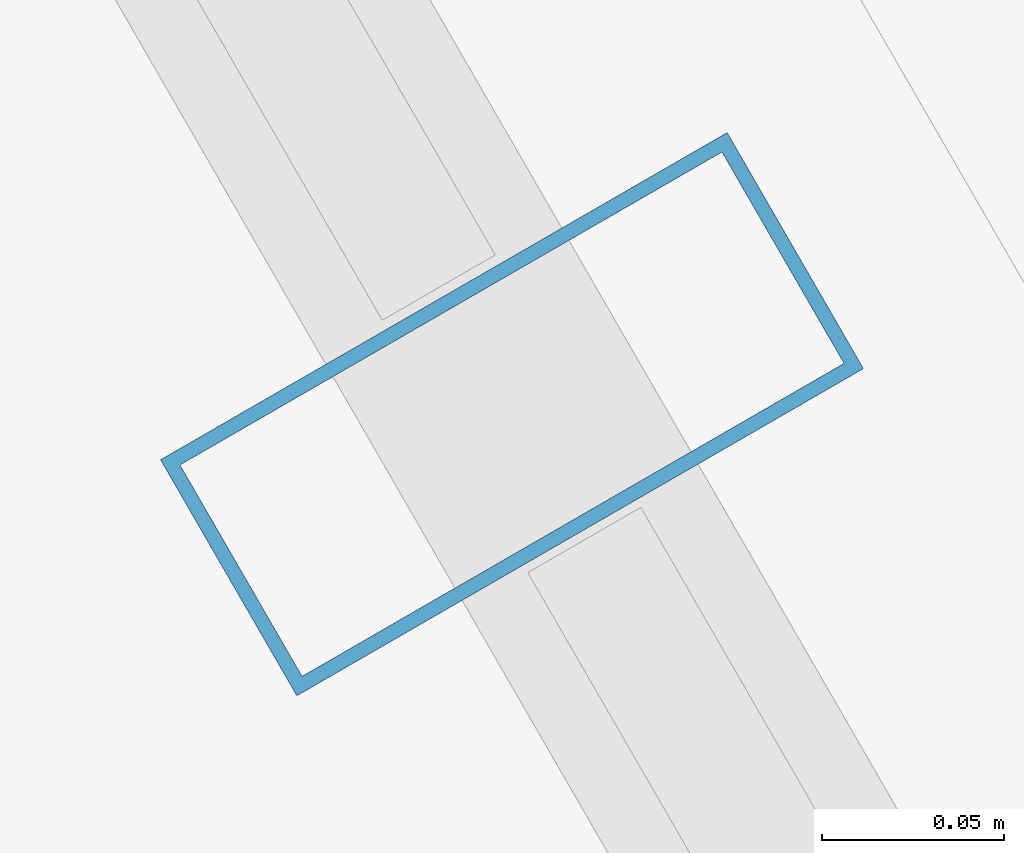
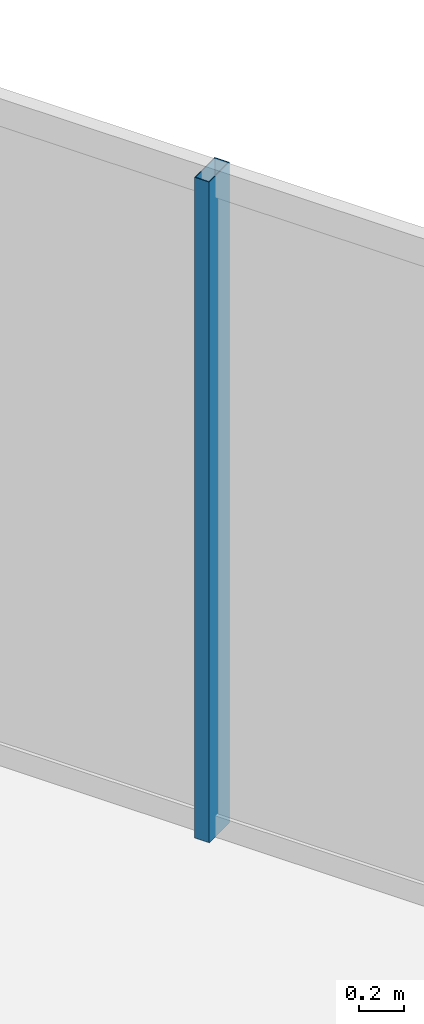
# One storey, part 19 of 31: 1 member, 1 element without a shape of its own.
"""IFC4 building model written with IfcOpenShell, lengths in metres."""

from ifc_helpers import new_model, si_unit, direction, frame, origin, origin_2d, place, context, subcontext, project, spatial, hollow_rectangle, extrude, material, layer, layer_set, material_profile, profile_set, type_object, element, aggregate, save


model = new_model("IFC4")

# Units and contexts
model_context = context("Model", 3, precision=1e-05, world=origin(), true_north=direction((0.0, 1.0)))
body_context = subcontext(model_context, "Body", "Model", "MODEL_VIEW")
ifc_project = project(units=[si_unit("LENGTHUNIT", "METRE"), si_unit("AREAUNIT", "SQUARE_METRE"), si_unit("VOLUMEUNIT", "CUBIC_METRE"), si_unit("PLANEANGLEUNIT", "RADIAN"), si_unit("MASSUNIT", "GRAM", prefix="KILO")], contexts=[model_context])

# Site, building, storey
site_placement = place(None, origin())
site = spatial("IfcSite", under=ifc_project, at=site_placement, CompositionType="ELEMENT")
building_placement = place(site_placement, origin())
building = spatial("IfcBuilding", under=site, at=building_placement, Name="Ndaravel Arena Tower", CompositionType="ELEMENT")
storey_placement = place(building_placement, frame((0.0, 0.0, 100.60009765625)))
storey = spatial("IfcBuildingStorey", under=building, at=storey_placement, Name="L23", CompositionType="ELEMENT", Elevation=100.60009765625)

# Curtain wall, member
ifc_material_1 = material(Name="Aluminium", Category="aluminium")
ifc_layer = layer(ifc_material_1, 0.179931640625)
ifc_layer_set = layer_set([ifc_layer], Name="Aluminium")
curtain_wall_type = type_object("IfcCurtainWallType", Name="CW-SYS-03", PredefinedType="NOTDEFINED", material=ifc_layer_set)
curtain_wall_placement = place(storey_placement, origin())
curtain_wall = element("IfcCurtainWall", 1, at=curtain_wall_placement, inside=storey, type_object=curtain_wall_type, Name="L23 Faceted Crystal Curtain Wall CW-L23-E03", PredefinedType="NOTDEFINED")
ifc_material_2 = material(Name="Aluminium", Category="aluminium")
ifc_material_profile = material_profile(ifc_material_2, hollow_rectangle(XDim=0.074951171875, YDim=0.179931640625, WallThickness=0.00390625, at=origin_2d()), Name="CW MULLION 75x180x4")
ifc_profile_set = profile_set([ifc_material_profile], Name="Aluminium")
member_type = type_object("IfcMemberType", Name="MEM-CW-MUL180", PredefinedType="MULLION", material=ifc_profile_set)
member_placement = place(storey_placement, frame((55.046142578125, 35.038818359375, 0.0), z_axis=(0.0, 0.0, 1.0), x_axis=(-0.5, 0.866025403784, 0.0)))
member = element("IfcMember", 2, at=member_placement, type_object=member_type, Name="CW-L23-E03 Mullion 05", PredefinedType="MULLION", context=body_context, shape_type="SweptSolid", body=[
    extrude(hollow_rectangle(XDim=0.074951171875, YDim=0.179931640625, WallThickness=0.00390625, at=origin_2d()), origin(), (0.0, 0.0, 1.0), 3.579833984375),
])
aggregate(curtain_wall, [member])

save(model, "model.ifc")
